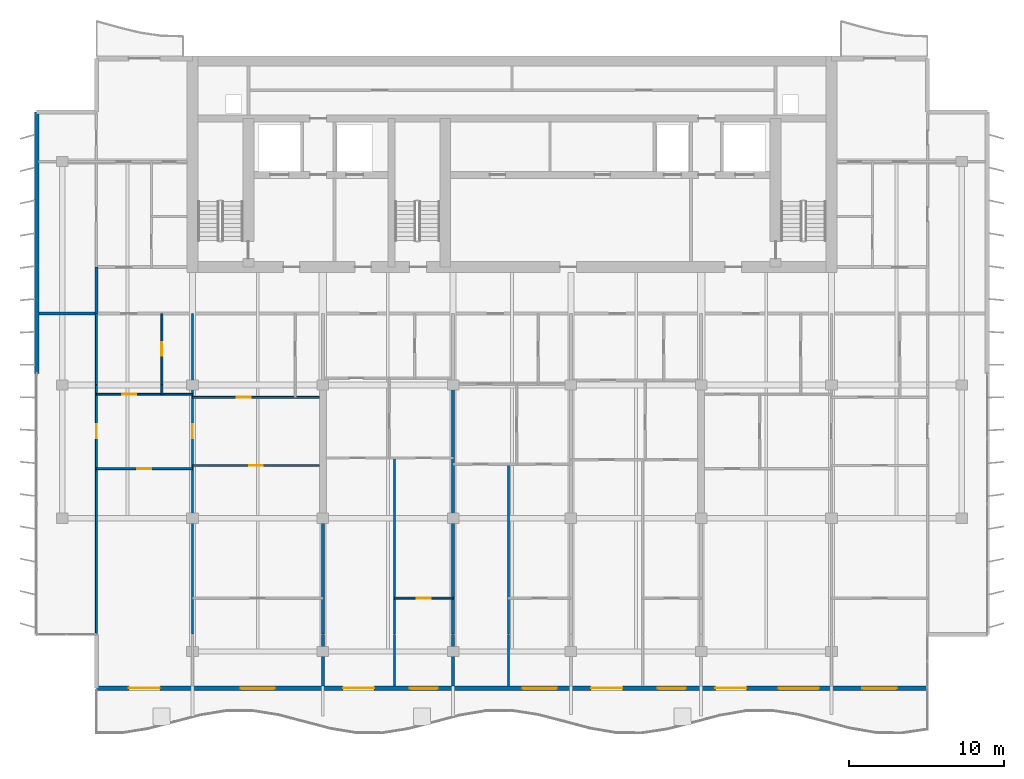
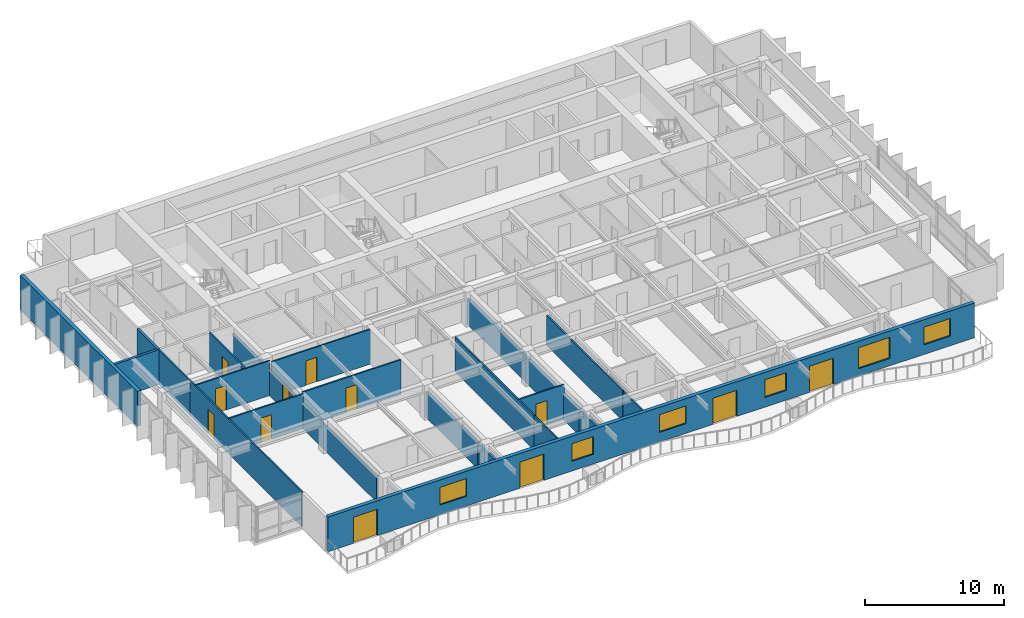
# One storey, part 6 of 16: 23 walls, 12 doors, 6 windows, 18 openings.
"""IFC4 building model written with IfcOpenShell, lengths in metres."""

from ifc_helpers import new_model, si_unit, direction, frame, frame_2d, origin, place, context, subcontext, project, spatial, rectangle, extrude, material, layer, layer_set, type_object, element, fill, save


model = new_model("IFC4")

# Units and contexts
model_context = context("Model", 3, precision=1e-05, world=origin(), true_north=direction((0.0, 1.0)))
body_context = subcontext(model_context, "Body", "Model", "MODEL_VIEW")
ifc_project = project(units=[si_unit("LENGTHUNIT", "METRE"), si_unit("AREAUNIT", "SQUARE_METRE"), si_unit("VOLUMEUNIT", "CUBIC_METRE"), si_unit("PLANEANGLEUNIT", "RADIAN"), si_unit("MASSUNIT", "GRAM", prefix="KILO")], contexts=[model_context])

# Site, building, storey
site_placement = place(None, origin())
site = spatial("IfcSite", under=ifc_project, at=site_placement, CompositionType="ELEMENT")
building_placement = place(site_placement, origin())
building = spatial("IfcBuilding", under=site, at=building_placement, Name="Caelmar Bay Residences", CompositionType="ELEMENT")
storey_placement = place(building_placement, frame((0.0, 0.0, 239.699951171875)))
storey = spatial("IfcBuildingStorey", under=building, at=storey_placement, Name="L67", CompositionType="ELEMENT", Elevation=239.699951171875)

# Wall
ifc_material_1 = material(Name="Double-stud acoustic fire-rated gypsum partition 180 mm")
ifc_layer_1 = layer(ifc_material_1, 0.179931640625)
ifc_layer_set_1 = layer_set([ifc_layer_1], Name="Double-stud acoustic fire-rated gypsum partition 180 mm")
wall_type_1 = type_object("IfcWallType", Name="W-COR-200", PredefinedType="PARTITIONING", material=ifc_layer_set_1)
wall_1_placement = place(storey_placement, frame((12.10009765625, 34.0048828125, 0.0), z_axis=(0.0, 0.0, 1.0), x_axis=(0.0, 1.0, 0.0)))
element("IfcWall", 1, at=wall_1_placement, inside=storey, type_object=wall_type_1, Name="L67 Partition Wall V003", PredefinedType="PARTITIONING", context=body_context, shape_type="SweptSolid", body=[
    extrude(rectangle(XDim=2.9951171875, YDim=0.179931640625, at=frame_2d((1.49755859375, 0.0))), origin(), (0.0, 0.0, 1.0), 3.050048828125),
])

# Wall, openings, doors, windows
ifc_material_2 = material(Name="Precast concrete f'c 40 MPa (6,000 psi)", Category="concrete")
ifc_layer_2 = layer(ifc_material_2, 0.300048828125)
ifc_layer_set_2 = layer_set([ifc_layer_2], Name="Precast concrete f'c 40 MPa (6,000 psi)")
wall_type_2 = type_object("IfcWallType", Name="W-EXT-300", PredefinedType="STANDARD", material=ifc_layer_set_2)
wall_2_placement = place(storey_placement, frame((65.699951171875, 9.85009765625, 0.0), z_axis=(0.0, 0.0, 1.0), x_axis=(-1.0, 0.0, 0.0)))
wall_2 = element("IfcWall", 2, at=wall_2_placement, inside=storey, type_object=wall_type_2, Name="L67 South Bayfront Exterior Wall", PredefinedType="STANDARD", context=body_context, shape_type="SweptSolid", body=[
    extrude(rectangle(XDim=53.599853515625, YDim=0.300048828125, at=frame_2d((26.7998046875, 0.0))), origin(), (0.0, 0.0, 1.0), 3.050048828125),
])
opening_1_placement = place(wall_2_placement, frame((49.5, 0.0, 0.0)))
opening_1 = element("IfcOpeningElement", 3, at=opening_1_placement, cuts=wall_2, Name="Opening L67-BD01", PredefinedType="OPENING", context=body_context, shape_type="SweptSolid", body=[
    extrude(rectangle(XDim=2.0, YDim=2.300048828125, at=frame_2d((1.0, 1.14990234375))), frame((0.0, 0.159912109375, 0.0), z_axis=(0.0, -1.0, 0.0), x_axis=(1.0, 0.0, 0.0)), (0.0, 0.0, 1.0), 0.320068359375),
])
opening_2_placement = place(wall_2_placement, frame((42.10009765625, 0.0, 0.85009765625)))
opening_2 = element("IfcOpeningElement", 4, at=opening_2_placement, cuts=wall_2, Name="Opening WN2", PredefinedType="OPENING", context=body_context, shape_type="SweptSolid", body=[
    extrude(rectangle(XDim=2.199951171875, YDim=1.550048828125, at=frame_2d((1.10009765625, 0.77490234375))), frame((0.0, 0.159912109375, 0.0), z_axis=(0.0, -1.0, 0.0), x_axis=(1.0, 0.0, 0.0)), (0.0, 0.0, 1.0), 0.320068359375),
])
opening_3_placement = place(wall_2_placement, frame((35.68994140625, 0.0, 0.0)))
opening_3 = element("IfcOpeningElement", 5, at=opening_3_placement, cuts=wall_2, Name="Opening L67-BD02", PredefinedType="OPENING", context=body_context, shape_type="SweptSolid", body=[
    extrude(rectangle(XDim=2.0, YDim=2.300048828125, at=frame_2d((1.0, 1.14990234375))), frame((0.0, 0.159912109375, 0.0), z_axis=(0.0, -1.0, 0.0), x_axis=(1.0, 0.0, 0.0)), (0.0, 0.0, 1.0), 0.320068359375),
])
opening_4_placement = place(wall_2_placement, frame((31.590087890625, 0.0, 0.85009765625)))
opening_4 = element("IfcOpeningElement", 6, at=opening_4_placement, cuts=wall_2, Name="Opening WN1", PredefinedType="OPENING", context=body_context, shape_type="SweptSolid", body=[
    extrude(rectangle(XDim=1.800048828125, YDim=1.550048828125, at=frame_2d((0.89990234375, 0.77490234375))), frame((0.0, 0.159912109375, 0.0), z_axis=(0.0, -1.0, 0.0), x_axis=(1.0, 0.0, 0.0)), (0.0, 0.0, 1.0), 0.320068359375),
])
opening_5_placement = place(wall_2_placement, frame((23.9140625, 0.0, 0.85009765625)))
opening_5 = element("IfcOpeningElement", 7, at=opening_5_placement, cuts=wall_2, Name="Opening WN2", PredefinedType="OPENING", context=body_context, shape_type="SweptSolid", body=[
    extrude(rectangle(XDim=2.199951171875, YDim=1.550048828125, at=frame_2d((1.10009765625, 0.77490234375))), frame((0.0, 0.159912109375, 0.0), z_axis=(0.0, -1.0, 0.0), x_axis=(1.0, 0.0, 0.0)), (0.0, 0.0, 1.0), 0.320068359375),
])
opening_6_placement = place(wall_2_placement, frame((19.68994140625, 0.0, 0.0)))
opening_6 = element("IfcOpeningElement", 8, at=opening_6_placement, cuts=wall_2, Name="Opening L67-BD03", PredefinedType="OPENING", context=body_context, shape_type="SweptSolid", body=[
    extrude(rectangle(XDim=2.0, YDim=2.300048828125, at=frame_2d((1.0, 1.14990234375))), frame((0.0, 0.159912109375, 0.0), z_axis=(0.0, -1.0, 0.0), x_axis=(1.0, 0.0, 0.0)), (0.0, 0.0, 1.0), 0.320068359375),
])
opening_7_placement = place(wall_2_placement, frame((15.590087890625, 0.0, 0.85009765625)))
opening_7 = element("IfcOpeningElement", 9, at=opening_7_placement, cuts=wall_2, Name="Opening WN1", PredefinedType="OPENING", context=body_context, shape_type="SweptSolid", body=[
    extrude(rectangle(XDim=1.800048828125, YDim=1.550048828125, at=frame_2d((0.89990234375, 0.77490234375))), frame((0.0, 0.159912109375, 0.0), z_axis=(0.0, -1.0, 0.0), x_axis=(1.0, 0.0, 0.0)), (0.0, 0.0, 1.0), 0.320068359375),
])
opening_8_placement = place(wall_2_placement, frame((11.68994140625, 0.0, 0.0)))
opening_8 = element("IfcOpeningElement", 10, at=opening_8_placement, cuts=wall_2, Name="Opening L67-BD04", PredefinedType="OPENING", context=body_context, shape_type="SweptSolid", body=[
    extrude(rectangle(XDim=2.0, YDim=2.300048828125, at=frame_2d((1.0, 1.14990234375))), frame((0.0, 0.159912109375, 0.0), z_axis=(0.0, -1.0, 0.0), x_axis=(1.0, 0.0, 0.0)), (0.0, 0.0, 1.0), 0.320068359375),
])
opening_9_placement = place(wall_2_placement, frame((7.010009765625, 0.0, 0.64990234375)))
opening_9 = element("IfcOpeningElement", 11, at=opening_9_placement, cuts=wall_2, Name="Opening WN3", PredefinedType="OPENING", context=body_context, shape_type="SweptSolid", body=[
    extrude(rectangle(XDim=2.60009765625, YDim=1.85009765625, at=frame_2d((1.300048828125, 0.925048828125))), frame((0.0, 0.159912109375, 0.0), z_axis=(0.0, -1.0, 0.0), x_axis=(1.0, 0.0, 0.0)), (0.0, 0.0, 1.0), 0.320068359375),
])
opening_10_placement = place(wall_2_placement, frame((2.0, 0.0, 0.85009765625)))
opening_10 = element("IfcOpeningElement", 12, at=opening_10_placement, cuts=wall_2, Name="Opening WN2", PredefinedType="OPENING", context=body_context, shape_type="SweptSolid", body=[
    extrude(rectangle(XDim=2.199951171875, YDim=1.550048828125, at=frame_2d((1.10009765625, 0.77490234375))), frame((0.0, 0.159912109375, 0.0), z_axis=(0.0, -1.0, 0.0), x_axis=(1.0, 0.0, 0.0)), (0.0, 0.0, 1.0), 0.320068359375),
])
ifc_material_3 = material(Name="Anodised bronze thermally broken sliding glass door", Category="glass")
ifc_layer_3 = layer(ifc_material_3, 0.050048828125)
ifc_layer_set_3 = layer_set([ifc_layer_3], Name="Anodised bronze thermally broken sliding glass door")
door_type_1 = type_object("IfcDoorType", Name="D-BAL-2000", OperationType="DOUBLE_DOOR_SLIDING", PredefinedType="DOOR", material=ifc_layer_set_3)
door_1_placement = place(opening_1_placement, origin())
door_1 = element("IfcDoor", 13, at=door_1_placement, inside=storey, type_object=door_type_1, Name="L67 Residence 01 Penthouse Living Salon Balcony Door", OperationType="DOUBLE_DOOR_SLIDING", OverallHeight=2.300048828125, OverallWidth=2.0, PredefinedType="DOOR", context=body_context, shape_type="SweptSolid", body=[
    extrude(rectangle(XDim=2.0, YDim=2.300048828125, at=frame_2d((1.0, 1.14990234375))), frame((0.0, 0.02490234375, 0.0), z_axis=(0.0, -1.0, 0.0), x_axis=(1.0, 0.0, 0.0)), (0.0, 0.0, 1.0), 0.050048828125),
])
fill(opening_1, door_1)
door_2_placement = place(opening_3_placement, origin())
door_2 = element("IfcDoor", 14, at=door_2_placement, inside=storey, type_object=door_type_1, Name="L67 Residence 02 Living Room Balcony Door", OperationType="DOUBLE_DOOR_SLIDING", OverallHeight=2.300048828125, OverallWidth=2.0, PredefinedType="DOOR", context=body_context, shape_type="SweptSolid", body=[
    extrude(rectangle(XDim=2.0, YDim=2.300048828125, at=frame_2d((1.0, 1.14990234375))), frame((0.0, 0.02490234375, 0.0), z_axis=(0.0, -1.0, 0.0), x_axis=(1.0, 0.0, 0.0)), (0.0, 0.0, 1.0), 0.050048828125),
])
fill(opening_3, door_2)
door_3_placement = place(opening_6_placement, origin())
door_3 = element("IfcDoor", 15, at=door_3_placement, inside=storey, type_object=door_type_1, Name="L67 Residence 04 Living Room Balcony Door", OperationType="DOUBLE_DOOR_SLIDING", OverallHeight=2.300048828125, OverallWidth=2.0, PredefinedType="DOOR", context=body_context, shape_type="SweptSolid", body=[
    extrude(rectangle(XDim=2.0, YDim=2.300048828125, at=frame_2d((1.0, 1.14990234375))), frame((0.0, 0.02490234375, 0.0), z_axis=(0.0, -1.0, 0.0), x_axis=(1.0, 0.0, 0.0)), (0.0, 0.0, 1.0), 0.050048828125),
])
fill(opening_6, door_3)
door_4_placement = place(opening_8_placement, origin())
door_4 = element("IfcDoor", 16, at=door_4_placement, inside=storey, type_object=door_type_1, Name="L67 Residence 05 Penthouse Living Salon Balcony Door", OperationType="DOUBLE_DOOR_SLIDING", OverallHeight=2.300048828125, OverallWidth=2.0, PredefinedType="DOOR", context=body_context, shape_type="SweptSolid", body=[
    extrude(rectangle(XDim=2.0, YDim=2.300048828125, at=frame_2d((1.0, 1.14990234375))), frame((0.0, 0.02490234375, 0.0), z_axis=(0.0, -1.0, 0.0), x_axis=(1.0, 0.0, 0.0)), (0.0, 0.0, 1.0), 0.050048828125),
])
fill(opening_8, door_4)
ifc_material_4 = material(Name="Bronze aluminium frame with laminated low-E glass", Category="aluminium")
ifc_layer_4 = layer(ifc_material_4, 0.06005859375)
ifc_layer_set_4 = layer_set([ifc_layer_4], Name="Bronze aluminium frame with laminated low-E glass")
window_type_1 = type_object("IfcWindowType", Name="WIN-BR-1800", PartitioningType="SINGLE_PANEL", PredefinedType="WINDOW", material=ifc_layer_set_4)
window_1_placement = place(opening_4_placement, origin())
window_1 = element("IfcWindow", 17, at=window_1_placement, inside=storey, type_object=window_type_1, Name="L67 Residence 02 Primary Bedroom Window", OverallHeight=1.550048828125, OverallWidth=1.800048828125, PartitioningType="SINGLE_PANEL", PredefinedType="WINDOW", context=body_context, shape_type="SweptSolid", body=[
    extrude(rectangle(XDim=1.800048828125, YDim=1.550048828125, at=frame_2d((0.89990234375, 0.77490234375))), frame((0.0, 0.030029296875, 0.0), z_axis=(0.0, -1.0, 0.0), x_axis=(1.0, 0.0, 0.0)), (0.0, 0.0, 1.0), 0.06005859375),
])
fill(opening_4, window_1)
window_2_placement = place(opening_7_placement, origin())
window_2 = element("IfcWindow", 18, at=window_2_placement, inside=storey, type_object=window_type_1, Name="L67 Residence 04 Primary Bedroom Window", OverallHeight=1.550048828125, OverallWidth=1.800048828125, PartitioningType="SINGLE_PANEL", PredefinedType="WINDOW", context=body_context, shape_type="SweptSolid", body=[
    extrude(rectangle(XDim=1.800048828125, YDim=1.550048828125, at=frame_2d((0.89990234375, 0.77490234375))), frame((0.0, 0.030029296875, 0.0), z_axis=(0.0, -1.0, 0.0), x_axis=(1.0, 0.0, 0.0)), (0.0, 0.0, 1.0), 0.06005859375),
])
fill(opening_7, window_2)
ifc_layer_5 = layer(ifc_material_4, 0.06005859375)
ifc_layer_set_5 = layer_set([ifc_layer_5], Name="Bronze aluminium frame with laminated low-E glass")
window_type_2 = type_object("IfcWindowType", Name="WIN-BR-2200", PartitioningType="SINGLE_PANEL", PredefinedType="WINDOW", material=ifc_layer_set_5)
window_3_placement = place(opening_2_placement, origin())
window_3 = element("IfcWindow", 19, at=window_3_placement, inside=storey, type_object=window_type_2, Name="L67 Residence 01 Primary Bedroom 1 Window", OverallHeight=1.550048828125, OverallWidth=2.199951171875, PartitioningType="SINGLE_PANEL", PredefinedType="WINDOW", context=body_context, shape_type="SweptSolid", body=[
    extrude(rectangle(XDim=2.199951171875, YDim=1.550048828125, at=frame_2d((1.10009765625, 0.77490234375))), frame((0.0, 0.030029296875, 0.0), z_axis=(0.0, -1.0, 0.0), x_axis=(1.0, 0.0, 0.0)), (0.0, 0.0, 1.0), 0.06005859375),
])
fill(opening_2, window_3)
window_4_placement = place(opening_5_placement, origin())
window_4 = element("IfcWindow", 20, at=window_4_placement, inside=storey, type_object=window_type_2, Name="L67 Residence 03 Primary Bedroom Window", OverallHeight=1.550048828125, OverallWidth=2.199951171875, PartitioningType="SINGLE_PANEL", PredefinedType="WINDOW", context=body_context, shape_type="SweptSolid", body=[
    extrude(rectangle(XDim=2.199951171875, YDim=1.550048828125, at=frame_2d((1.10009765625, 0.77490234375))), frame((0.0, 0.030029296875, 0.0), z_axis=(0.0, -1.0, 0.0), x_axis=(1.0, 0.0, 0.0)), (0.0, 0.0, 1.0), 0.06005859375),
])
fill(opening_5, window_4)
window_5_placement = place(opening_10_placement, origin())
window_5 = element("IfcWindow", 21, at=window_5_placement, inside=storey, type_object=window_type_2, Name="L67 Residence 05 Primary Bedroom 1 Window", OverallHeight=1.550048828125, OverallWidth=2.199951171875, PartitioningType="SINGLE_PANEL", PredefinedType="WINDOW", context=body_context, shape_type="SweptSolid", body=[
    extrude(rectangle(XDim=2.199951171875, YDim=1.550048828125, at=frame_2d((1.10009765625, 0.77490234375))), frame((0.0, 0.030029296875, 0.0), z_axis=(0.0, -1.0, 0.0), x_axis=(1.0, 0.0, 0.0)), (0.0, 0.0, 1.0), 0.06005859375),
])
fill(opening_10, window_5)
ifc_layer_6 = layer(ifc_material_4, 0.06005859375)
ifc_layer_set_6 = layer_set([ifc_layer_6], Name="Bronze aluminium frame with laminated low-E glass")
window_type_3 = type_object("IfcWindowType", Name="WIN-LIV-2600", PartitioningType="SINGLE_PANEL", PredefinedType="WINDOW", material=ifc_layer_set_6)
window_6_placement = place(opening_9_placement, origin())
window_6 = element("IfcWindow", 22, at=window_6_placement, inside=storey, type_object=window_type_3, Name="L67 Residence 05 Penthouse Living Salon Panoramic Window", OverallHeight=1.85009765625, OverallWidth=2.60009765625, PartitioningType="SINGLE_PANEL", PredefinedType="WINDOW", context=body_context, shape_type="SweptSolid", body=[
    extrude(rectangle(XDim=2.60009765625, YDim=1.85009765625, at=frame_2d((1.300048828125, 0.925048828125))), frame((0.0, 0.030029296875, 0.0), z_axis=(0.0, -1.0, 0.0), x_axis=(1.0, 0.0, 0.0)), (0.0, 0.0, 1.0), 0.06005859375),
])
fill(opening_9, window_6)

# Wall
wall_3_placement = place(storey_placement, frame((8.25, 30.14990234375, 0.0), z_axis=(0.0, 0.0, 1.0), x_axis=(0.0, 1.0, 0.0)))
element("IfcWall", 23, at=wall_3_placement, inside=storey, type_object=wall_type_2, Name="L67 West Rear Exterior Wall", PredefinedType="STANDARD", context=body_context, shape_type="SweptSolid", body=[
    extrude(rectangle(XDim=16.85009765625, YDim=0.300048828125, at=frame_2d((8.425048828125, 0.0))), origin(), (0.0, 0.0, 1.0), 3.050048828125),
])

# Wall, opening, door
ifc_material_5 = material(Name="Acoustic metal-stud gypsum partition 120 mm")
ifc_layer_7 = layer(ifc_material_5, 0.1201171875)
ifc_layer_set_7 = layer_set([ifc_layer_7], Name="Acoustic metal-stud gypsum partition 120 mm")
wall_type_3 = type_object("IfcWallType", Name="W-PRT-120", PredefinedType="PARTITIONING", material=ifc_layer_set_7)
wall_4_placement = place(storey_placement, frame((12.10009765625, 13.385009765625, 0.0), z_axis=(0.0, 0.0, 1.0), x_axis=(0.0, 1.0, 0.0)))
wall_4 = element("IfcWall", 24, at=wall_4_placement, inside=storey, type_object=wall_type_3, Name="L67 Partition Wall V001", PredefinedType="PARTITIONING", context=body_context, shape_type="SweptSolid", body=[
    extrude(rectangle(XDim=16.014892578125, YDim=0.1201171875, at=frame_2d((8.00732421875, 0.0))), origin(), (0.0, 0.0, 1.0), 3.050048828125),
])
opening_11_placement = place(wall_4_placement, frame((12.56494140625, 0.0, 0.0)))
opening_11 = element("IfcOpeningElement", 25, at=opening_11_placement, cuts=wall_4, Name="Opening D-L67-160", PredefinedType="OPENING", context=body_context, shape_type="SweptSolid", body=[
    extrude(rectangle(XDim=0.89990234375, YDim=2.14990234375, at=frame_2d((0.449951171875, 1.074951171875))), frame((0.0, 0.070068359375, 0.0), z_axis=(0.0, -1.0, 0.0), x_axis=(1.0, 0.0, 0.0)), (0.0, 0.0, 1.0), 0.14013671875),
])
ifc_material_6 = material(Name="Solid walnut timber interior door leaf and frame", Category="wood")
ifc_layer_8 = layer(ifc_material_6, 0.050048828125)
ifc_layer_set_8 = layer_set([ifc_layer_8], Name="Solid walnut timber interior door leaf and frame")
door_type_2 = type_object("IfcDoorType", Name="D-ROOM-900", OperationType="NOTDEFINED", PredefinedType="DOOR", material=ifc_layer_set_8)
door_5_placement = place(opening_11_placement, origin())
door_5 = element("IfcDoor", 26, at=door_5_placement, inside=storey, type_object=door_type_2, Name="L67 Residence 01 Penthouse West Salon Door", OperationType="SINGLE_SWING_LEFT", OverallHeight=2.14990234375, OverallWidth=0.89990234375, PredefinedType="DOOR", context=body_context, shape_type="SweptSolid", body=[
    extrude(rectangle(XDim=0.89990234375, YDim=2.14990234375, at=frame_2d((0.449951171875, 1.074951171875))), frame((0.0, 0.02490234375, 0.0), z_axis=(0.0, -1.0, 0.0), x_axis=(1.0, 0.0, 0.0)), (0.0, 0.0, 1.0), 0.050048828125),
])
fill(opening_11, door_5)

# Walls
wall_5_placement = place(storey_placement, frame((12.10009765625, 29.43994140625, 0.0), z_axis=(0.0, 0.0, 1.0), x_axis=(0.0, 1.0, 0.0)))
element("IfcWall", 27, at=wall_5_placement, inside=storey, type_object=wall_type_3, Name="L67 Partition Wall V002", PredefinedType="PARTITIONING", context=body_context, shape_type="SweptSolid", body=[
    extrude(rectangle(XDim=4.56005859375, YDim=0.1201171875, at=frame_2d((2.280029296875, 0.0))), origin(), (0.0, 0.0, 1.0), 3.050048828125),
])
wall_6_placement = place(storey_placement, frame((16.319091796875, 28.800048828125, 0.0), z_axis=(0.0, 0.0, 1.0), x_axis=(0.0, 1.0, 0.0)))
element("IfcWall", 28, at=wall_6_placement, inside=storey, type_object=wall_type_3, Name="L67 Partition Wall V006", PredefinedType="PARTITIONING", context=body_context, shape_type="SweptSolid", body=[
    extrude(rectangle(XDim=0.599853515625, YDim=0.1201171875, at=frame_2d((0.2998046875, 0.0))), origin(), (0.0, 0.0, 1.0), 3.050048828125),
])

# Wall, opening, door
wall_7_placement = place(storey_placement, frame((16.319091796875, 29.43994140625, 0.0), z_axis=(0.0, 0.0, 1.0), x_axis=(0.0, 1.0, 0.0)))
wall_7 = element("IfcWall", 29, at=wall_7_placement, inside=storey, type_object=wall_type_3, Name="L67 Partition Wall V007", PredefinedType="PARTITIONING", context=body_context, shape_type="SweptSolid", body=[
    extrude(rectangle(XDim=4.56005859375, YDim=0.1201171875, at=frame_2d((2.280029296875, 0.0))), origin(), (0.0, 0.0, 1.0), 3.050048828125),
])
opening_12_placement = place(wall_7_placement, frame((1.85498046875, 0.0, 0.0)))
opening_12 = element("IfcOpeningElement", 30, at=opening_12_placement, cuts=wall_7, Name="Opening D-L67-121", PredefinedType="OPENING", context=body_context, shape_type="SweptSolid", body=[
    extrude(rectangle(XDim=0.85009765625, YDim=2.10009765625, at=frame_2d((0.425048828125, 1.050048828125))), frame((0.0, 0.070068359375, 0.0), z_axis=(0.0, -1.0, 0.0), x_axis=(1.0, 0.0, 0.0)), (0.0, 0.0, 1.0), 0.14013671875),
])
ifc_layer_9 = layer(ifc_material_6, 0.050048828125)
ifc_layer_set_9 = layer_set([ifc_layer_9], Name="Solid walnut timber interior door leaf and frame")
door_type_3 = type_object("IfcDoorType", Name="D-BATH-850", OperationType="NOTDEFINED", PredefinedType="DOOR", material=ifc_layer_set_9)
door_6_placement = place(opening_12_placement, origin())
door_6 = element("IfcDoor", 31, at=door_6_placement, inside=storey, type_object=door_type_3, Name="L67 Residence 01 Guest Bathroom Door", OperationType="SINGLE_SWING_RIGHT", OverallHeight=2.10009765625, OverallWidth=0.85009765625, PredefinedType="DOOR", context=body_context, shape_type="SweptSolid", body=[
    extrude(rectangle(XDim=0.85009765625, YDim=2.10009765625, at=frame_2d((0.425048828125, 1.050048828125))), frame((0.0, 0.02490234375, 0.0), z_axis=(0.0, -1.0, 0.0), x_axis=(1.0, 0.0, 0.0)), (0.0, 0.0, 1.0), 0.050048828125),
])
fill(opening_12, door_6)

wall_8_placement = place(storey_placement, frame((18.300048828125, 13.340087890625, 0.0), z_axis=(0.0, 0.0, 1.0), x_axis=(0.0, 1.0, 0.0)))
wall_8 = element("IfcWall", 32, at=wall_8_placement, inside=storey, type_object=wall_type_3, Name="L67 Partition Wall V009", PredefinedType="PARTITIONING", context=body_context, shape_type="SweptSolid", body=[
    extrude(rectangle(XDim=16.059814453125, YDim=0.1201171875, at=frame_2d((8.02978515625, 0.0))), origin(), (0.0, 0.0, 1.0), 2.262939453125),
])
opening_13_placement = place(wall_8_placement, frame((12.610107421875, 0.0, 0.0)))
opening_13 = element("IfcOpeningElement", 33, at=opening_13_placement, cuts=wall_8, Name="Opening D-L67-124", PredefinedType="OPENING", context=body_context, shape_type="SweptSolid", body=[
    extrude(rectangle(XDim=0.89990234375, YDim=2.14990234375, at=frame_2d((0.449951171875, 1.074951171875))), frame((0.0, 0.070068359375, 0.0), z_axis=(0.0, -1.0, 0.0), x_axis=(1.0, 0.0, 0.0)), (0.0, 0.0, 1.0), 0.14013671875),
])
door_7_placement = place(opening_13_placement, origin())
door_7 = element("IfcDoor", 34, at=door_7_placement, inside=storey, type_object=door_type_2, Name="L67 Residence 01 Library Study 1 Door", OperationType="SINGLE_SWING_LEFT", OverallHeight=2.14990234375, OverallWidth=0.89990234375, PredefinedType="DOOR", context=body_context, shape_type="SweptSolid", body=[
    extrude(rectangle(XDim=0.89990234375, YDim=2.14990234375, at=frame_2d((0.449951171875, 1.074951171875))), frame((0.0, 0.02490234375, 0.0), z_axis=(0.0, -1.0, 0.0), x_axis=(1.0, 0.0, 0.0)), (0.0, 0.0, 1.0), 0.050048828125),
])
fill(opening_13, door_7)

# Walls
wall_9_placement = place(storey_placement, frame((18.300048828125, 29.43994140625, 0.0), z_axis=(0.0, 0.0, 1.0), x_axis=(0.0, 1.0, 0.0)))
element("IfcWall", 35, at=wall_9_placement, inside=storey, type_object=wall_type_3, Name="L67 Partition Wall V010", PredefinedType="PARTITIONING", context=body_context, shape_type="SweptSolid", body=[
    extrude(rectangle(XDim=4.56005859375, YDim=0.1201171875, at=frame_2d((2.280029296875, 0.0))), origin(), (0.0, 0.0, 1.0), 2.262939453125),
])
wall_10_placement = place(storey_placement, frame((31.320068359375, 9.9951171875, 0.0), z_axis=(0.0, 0.0, 1.0), x_axis=(0.0, 1.0, 0.0)))
element("IfcWall", 36, at=wall_10_placement, inside=storey, type_object=wall_type_3, Name="L67 Partition Wall V022", PredefinedType="PARTITIONING", context=body_context, shape_type="SweptSolid", body=[
    extrude(rectangle(XDim=3.304931640625, YDim=0.1201171875, at=frame_2d((1.65234375, 0.0))), origin(), (0.0, 0.0, 1.0), 3.050048828125),
])
wall_11_placement = place(storey_placement, frame((31.320068359375, 13.340087890625, 0.0), z_axis=(0.0, 0.0, 1.0), x_axis=(0.0, 1.0, 0.0)))
element("IfcWall", 37, at=wall_11_placement, inside=storey, type_object=wall_type_3, Name="L67 Partition Wall V023", PredefinedType="PARTITIONING", context=body_context, shape_type="SweptSolid", body=[
    extrude(rectangle(XDim=11.349853515625, YDim=0.1201171875, at=frame_2d((5.6748046875, 0.0))), origin(), (0.0, 0.0, 1.0), 3.050048828125),
])
wall_12_placement = place(storey_placement, frame((38.672119140625, 9.9951171875, 0.0), z_axis=(0.0, 0.0, 1.0), x_axis=(0.0, 1.0, 0.0)))
element("IfcWall", 38, at=wall_12_placement, inside=storey, type_object=wall_type_3, Name="L67 Partition Wall V028", PredefinedType="PARTITIONING", context=body_context, shape_type="SweptSolid", body=[
    extrude(rectangle(XDim=3.304931640625, YDim=0.1201171875, at=frame_2d((1.65234375, 0.0))), origin(), (0.0, 0.0, 1.0), 2.629150390625),
])
wall_13_placement = place(storey_placement, frame((38.672119140625, 13.340087890625, 0.0), z_axis=(0.0, 0.0, 1.0), x_axis=(0.0, 1.0, 0.0)))
element("IfcWall", 39, at=wall_13_placement, inside=storey, type_object=wall_type_3, Name="L67 Partition Wall V029", PredefinedType="PARTITIONING", context=body_context, shape_type="SweptSolid", body=[
    extrude(rectangle(XDim=10.949951171875, YDim=0.1201171875, at=frame_2d((5.47509765625, 0.0))), origin(), (0.0, 0.0, 1.0), 2.629150390625),
])

# Wall, opening, door
wall_14_placement = place(storey_placement, frame((31.320068359375, 15.64990234375, 0.0), z_axis=(0.0, 0.0, 1.0), x_axis=(1.0, 0.0, 0.0)))
wall_14 = element("IfcWall", 40, at=wall_14_placement, inside=storey, type_object=wall_type_3, Name="L67 Partition Wall H064", PredefinedType="PARTITIONING", context=body_context, shape_type="SweptSolid", body=[
    extrude(rectangle(XDim=3.780029296875, YDim=0.1201171875, at=frame_2d((1.89013671875, 0.0))), origin(), (0.0, 0.0, 1.0), 3.050048828125),
])
opening_14_placement = place(wall_14_placement, frame((1.43994140625, 0.0, 0.0)))
opening_14 = element("IfcOpeningElement", 41, at=opening_14_placement, cuts=wall_14, Name="Opening D-L67-135", PredefinedType="OPENING", context=body_context, shape_type="SweptSolid", body=[
    extrude(rectangle(XDim=0.89990234375, YDim=2.14990234375, at=frame_2d((0.449951171875, 1.074951171875))), frame((0.0, 0.070068359375, 0.0), z_axis=(0.0, -1.0, 0.0), x_axis=(1.0, 0.0, 0.0)), (0.0, 0.0, 1.0), 0.14013671875),
])
door_8_placement = place(opening_14_placement, origin())
door_8 = element("IfcDoor", 42, at=door_8_placement, inside=storey, type_object=door_type_2, Name="L67 Residence 02 Primary Bedroom Door", OperationType="SINGLE_SWING_RIGHT", OverallHeight=2.14990234375, OverallWidth=0.89990234375, PredefinedType="DOOR", context=body_context, shape_type="SweptSolid", body=[
    extrude(rectangle(XDim=0.89990234375, YDim=2.14990234375, at=frame_2d((0.449951171875, 1.074951171875))), frame((0.0, 0.02490234375, 0.0), z_axis=(0.0, -1.0, 0.0), x_axis=(1.0, 0.0, 0.0)), (0.0, 0.0, 1.0), 0.050048828125),
])
fill(opening_14, door_8)

wall_15_placement = place(storey_placement, frame((12.10009765625, 24.0, 0.0), z_axis=(0.0, 0.0, 1.0), x_axis=(1.0, 0.0, 0.0)))
wall_15 = element("IfcWall", 43, at=wall_15_placement, inside=storey, type_object=wall_type_3, Name="L67 Partition Wall H068", PredefinedType="PARTITIONING", context=body_context, shape_type="SweptSolid", body=[
    extrude(rectangle(XDim=6.199951171875, YDim=0.1201171875, at=frame_2d((3.10009765625, 0.0))), origin(), (0.0, 0.0, 1.0), 3.050048828125),
])
opening_15_placement = place(wall_15_placement, frame((2.64990234375, 0.0, 0.0)))
opening_15 = element("IfcOpeningElement", 44, at=opening_15_placement, cuts=wall_15, Name="Opening D-L67-123", PredefinedType="OPENING", context=body_context, shape_type="SweptSolid", body=[
    extrude(rectangle(XDim=0.89990234375, YDim=2.14990234375, at=frame_2d((0.449951171875, 1.074951171875))), frame((0.0, 0.070068359375, 0.0), z_axis=(0.0, -1.0, 0.0), x_axis=(1.0, 0.0, 0.0)), (0.0, 0.0, 1.0), 0.14013671875),
])
door_9_placement = place(opening_15_placement, origin())
door_9 = element("IfcDoor", 45, at=door_9_placement, inside=storey, type_object=door_type_2, Name="L67 Residence 01 Penthouse Living Salon Door", OperationType="SINGLE_SWING_RIGHT", OverallHeight=2.14990234375, OverallWidth=0.89990234375, PredefinedType="DOOR", context=body_context, shape_type="SweptSolid", body=[
    extrude(rectangle(XDim=0.89990234375, YDim=2.14990234375, at=frame_2d((0.449951171875, 1.074951171875))), frame((0.0, 0.02490234375, 0.0), z_axis=(0.0, -1.0, 0.0), x_axis=(1.0, 0.0, 0.0)), (0.0, 0.0, 1.0), 0.050048828125),
])
fill(opening_15, door_9)

wall_16_placement = place(storey_placement, frame((18.304931640625, 24.199951171875, 0.0), z_axis=(0.0, 0.0, 1.0), x_axis=(1.0, 0.0, 0.0)))
wall_16 = element("IfcWall", 46, at=wall_16_placement, inside=storey, type_object=wall_type_3, Name="L67 Partition Wall H070", PredefinedType="PARTITIONING", context=body_context, shape_type="SweptSolid", body=[
    extrude(rectangle(XDim=8.175048828125, YDim=0.1201171875, at=frame_2d((4.08740234375, 0.0))), origin(), (0.0, 0.0, 1.0), 3.050048828125),
])
opening_16_placement = place(wall_16_placement, frame((3.637451171875, 0.0, 0.0)))
opening_16 = element("IfcOpeningElement", 47, at=opening_16_placement, cuts=wall_16, Name="Opening D-L67-127", PredefinedType="OPENING", context=body_context, shape_type="SweptSolid", body=[
    extrude(rectangle(XDim=0.89990234375, YDim=2.14990234375, at=frame_2d((0.449951171875, 1.074951171875))), frame((0.0, 0.070068359375, 0.0), z_axis=(0.0, -1.0, 0.0), x_axis=(1.0, 0.0, 0.0)), (0.0, 0.0, 1.0), 0.14013671875),
])
door_10_placement = place(opening_16_placement, origin())
door_10 = element("IfcDoor", 48, at=door_10_placement, inside=storey, type_object=door_type_2, Name="L67 Residence 01 Penthouse Sitting Salon 1 Door", OperationType="SINGLE_SWING_RIGHT", OverallHeight=2.14990234375, OverallWidth=0.89990234375, PredefinedType="DOOR", context=body_context, shape_type="SweptSolid", body=[
    extrude(rectangle(XDim=0.89990234375, YDim=2.14990234375, at=frame_2d((0.449951171875, 1.074951171875))), frame((0.0, 0.02490234375, 0.0), z_axis=(0.0, -1.0, 0.0), x_axis=(1.0, 0.0, 0.0)), (0.0, 0.0, 1.0), 0.050048828125),
])
fill(opening_16, door_10)

wall_17_placement = place(storey_placement, frame((18.300048828125, 28.60009765625, 0.0), z_axis=(0.0, 0.0, 1.0), x_axis=(1.0, 0.0, 0.0)))
wall_17 = element("IfcWall", 49, at=wall_17_placement, inside=storey, type_object=wall_type_3, Name="L67 Partition Wall H075", PredefinedType="PARTITIONING", context=body_context, shape_type="SweptSolid", body=[
    extrude(rectangle(XDim=8.179931640625, YDim=0.1201171875, at=frame_2d((4.08984375, 0.0))), origin(), (0.0, 0.0, 1.0), 3.050048828125),
])
opening_17_placement = place(wall_17_placement, frame((2.861083984375, 0.0, 0.0)))
opening_17 = element("IfcOpeningElement", 50, at=opening_17_placement, cuts=wall_17, Name="Opening D-L67-125", PredefinedType="OPENING", context=body_context, shape_type="SweptSolid", body=[
    extrude(rectangle(XDim=0.89990234375, YDim=2.14990234375, at=frame_2d((0.449951171875, 1.074951171875))), frame((0.0, 0.070068359375, 0.0), z_axis=(0.0, -1.0, 0.0), x_axis=(1.0, 0.0, 0.0)), (0.0, 0.0, 1.0), 0.14013671875),
])
door_11_placement = place(opening_17_placement, origin())
door_11 = element("IfcDoor", 51, at=door_11_placement, inside=storey, type_object=door_type_2, Name="L67 Residence 01 Home Office 1 Door", OperationType="SINGLE_SWING_RIGHT", OverallHeight=2.14990234375, OverallWidth=0.89990234375, PredefinedType="DOOR", context=body_context, shape_type="SweptSolid", body=[
    extrude(rectangle(XDim=0.89990234375, YDim=2.14990234375, at=frame_2d((0.449951171875, 1.074951171875))), frame((0.0, 0.02490234375, 0.0), z_axis=(0.0, -1.0, 0.0), x_axis=(1.0, 0.0, 0.0)), (0.0, 0.0, 1.0), 0.050048828125),
])
fill(opening_17, door_11)

wall_18_placement = place(storey_placement, frame((12.10009765625, 28.800048828125, 0.0), z_axis=(0.0, 0.0, 1.0), x_axis=(1.0, 0.0, 0.0)))
wall_18 = element("IfcWall", 52, at=wall_18_placement, inside=storey, type_object=wall_type_3, Name="L67 Partition Wall H077", PredefinedType="PARTITIONING", context=body_context, shape_type="SweptSolid", body=[
    extrude(rectangle(XDim=6.19482421875, YDim=0.1201171875, at=frame_2d((3.097412109375, 0.0))), origin(), (0.0, 0.0, 1.0), 3.050048828125),
])
opening_18_placement = place(wall_18_placement, frame((1.659423828125, 0.0, 0.0)))
opening_18 = element("IfcOpeningElement", 53, at=opening_18_placement, cuts=wall_18, Name="Opening D-L67-122", PredefinedType="OPENING", context=body_context, shape_type="SweptSolid", body=[
    extrude(rectangle(XDim=0.89990234375, YDim=2.14990234375, at=frame_2d((0.449951171875, 1.074951171875))), frame((0.0, 0.070068359375, 0.0), z_axis=(0.0, -1.0, 0.0), x_axis=(1.0, 0.0, 0.0)), (0.0, 0.0, 1.0), 0.14013671875),
])
door_12_placement = place(opening_18_placement, origin())
door_12 = element("IfcDoor", 54, at=door_12_placement, inside=storey, type_object=door_type_2, Name="L67 Residence 01 Kitchen Door", OperationType="SINGLE_SWING_LEFT", OverallHeight=2.14990234375, OverallWidth=0.89990234375, PredefinedType="DOOR", context=body_context, shape_type="SweptSolid", body=[
    extrude(rectangle(XDim=0.89990234375, YDim=2.14990234375, at=frame_2d((0.449951171875, 1.074951171875))), frame((0.0, 0.02490234375, 0.0), z_axis=(0.0, -1.0, 0.0), x_axis=(1.0, 0.0, 0.0)), (0.0, 0.0, 1.0), 0.050048828125),
])
fill(opening_18, door_12)

# Walls
ifc_material_7 = material(Name="Acoustic twin-stud fire-rated inter-tenancy partition 200 mm")
ifc_layer_10 = layer(ifc_material_7, 0.199951171875)
ifc_layer_set_10 = layer_set([ifc_layer_10], Name="Acoustic twin-stud fire-rated inter-tenancy partition 200 mm")
wall_type_4 = type_object("IfcWallType", Name="W-PTY-200", PredefinedType="PARTITIONING", material=ifc_layer_set_10)
wall_19_placement = place(storey_placement, frame((26.699951171875, 9.9951171875, 0.0), z_axis=(0.0, 0.0, 1.0), x_axis=(0.0, 1.0, 0.0)))
element("IfcWall", 55, at=wall_19_placement, inside=storey, type_object=wall_type_4, Name="L67 Partition Wall V015", PredefinedType="PARTITIONING", context=body_context, shape_type="SweptSolid", body=[
    extrude(rectangle(XDim=3.304931640625, YDim=0.199951171875, at=frame_2d((1.65234375, 0.0))), origin(), (0.0, 0.0, 1.0), 2.262939453125),
])
wall_20_placement = place(storey_placement, frame((26.699951171875, 13.340087890625, 0.0), z_axis=(0.0, 0.0, 1.0), x_axis=(0.0, 1.0, 0.0)))
element("IfcWall", 56, at=wall_20_placement, inside=storey, type_object=wall_type_4, Name="L67 Partition Wall V016", PredefinedType="PARTITIONING", context=body_context, shape_type="SweptSolid", body=[
    extrude(rectangle(XDim=7.454833984375, YDim=0.199951171875, at=frame_2d((3.7275390625, 0.0))), origin(), (0.0, 0.0, 1.0), 2.262939453125),
])
wall_21_placement = place(storey_placement, frame((35.10009765625, 9.9951171875, 0.0), z_axis=(0.0, 0.0, 1.0), x_axis=(0.0, 1.0, 0.0)))
element("IfcWall", 57, at=wall_21_placement, inside=storey, type_object=wall_type_4, Name="L67 Partition Wall V025", PredefinedType="PARTITIONING", context=body_context, shape_type="SweptSolid", body=[
    extrude(rectangle(XDim=3.304931640625, YDim=0.199951171875, at=frame_2d((1.65234375, 0.0))), origin(), (0.0, 0.0, 1.0), 2.262939453125),
])
wall_22_placement = place(storey_placement, frame((35.10009765625, 13.340087890625, 0.0), z_axis=(0.0, 0.0, 1.0), x_axis=(0.0, 1.0, 0.0)))
element("IfcWall", 58, at=wall_22_placement, inside=storey, type_object=wall_type_4, Name="L67 Partition Wall V026", PredefinedType="PARTITIONING", context=body_context, shape_type="SweptSolid", body=[
    extrude(rectangle(XDim=16.059814453125, YDim=0.199951171875, at=frame_2d((8.02978515625, 0.0))), origin(), (0.0, 0.0, 1.0), 2.262939453125),
])
wall_23_placement = place(storey_placement, frame((8.39501953125, 34.0, 0.0), z_axis=(0.0, 0.0, 1.0), x_axis=(1.0, 0.0, 0.0)))
element("IfcWall", 59, at=wall_23_placement, inside=storey, type_object=wall_type_4, Name="L67 Partition Wall H082", PredefinedType="PARTITIONING", context=body_context, shape_type="SweptSolid", body=[
    extrude(rectangle(XDim=3.705078125, YDim=0.199951171875, at=frame_2d((1.8525390625, 0.0))), origin(), (0.0, 0.0, 1.0), 3.050048828125),
])

save(model, "model.ifc")
